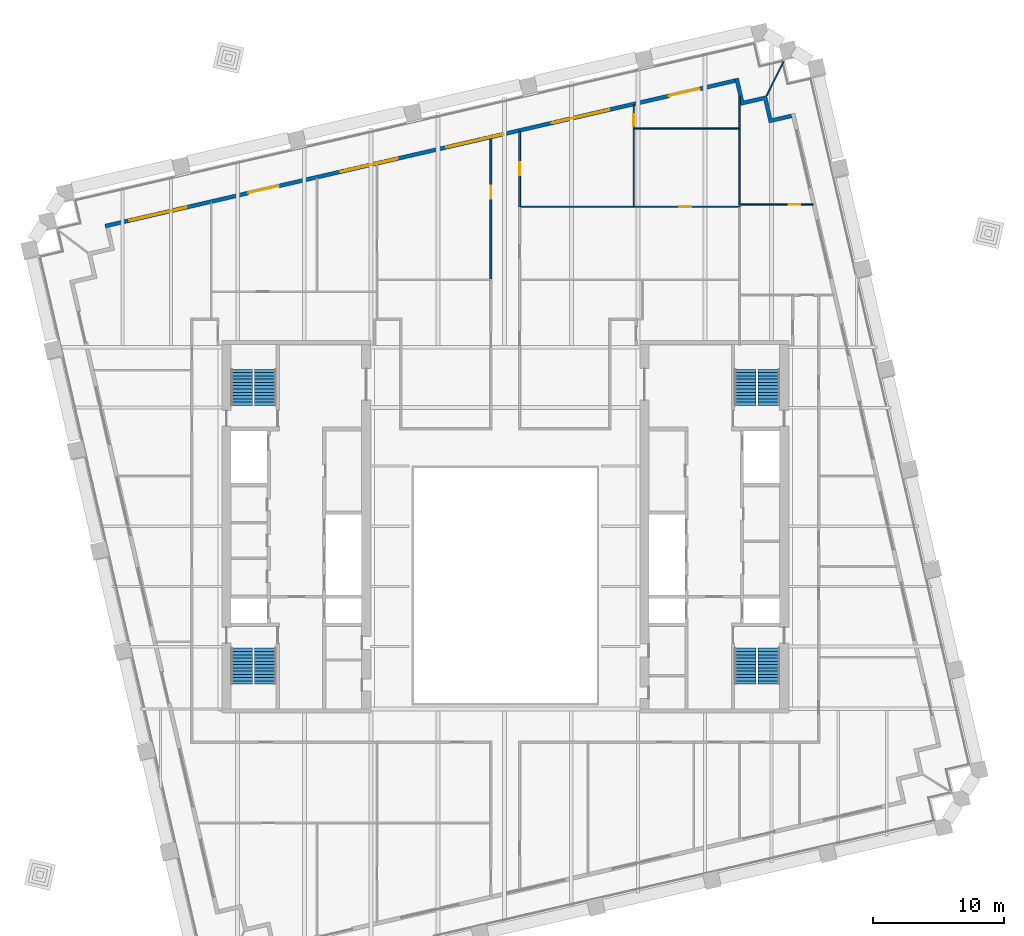
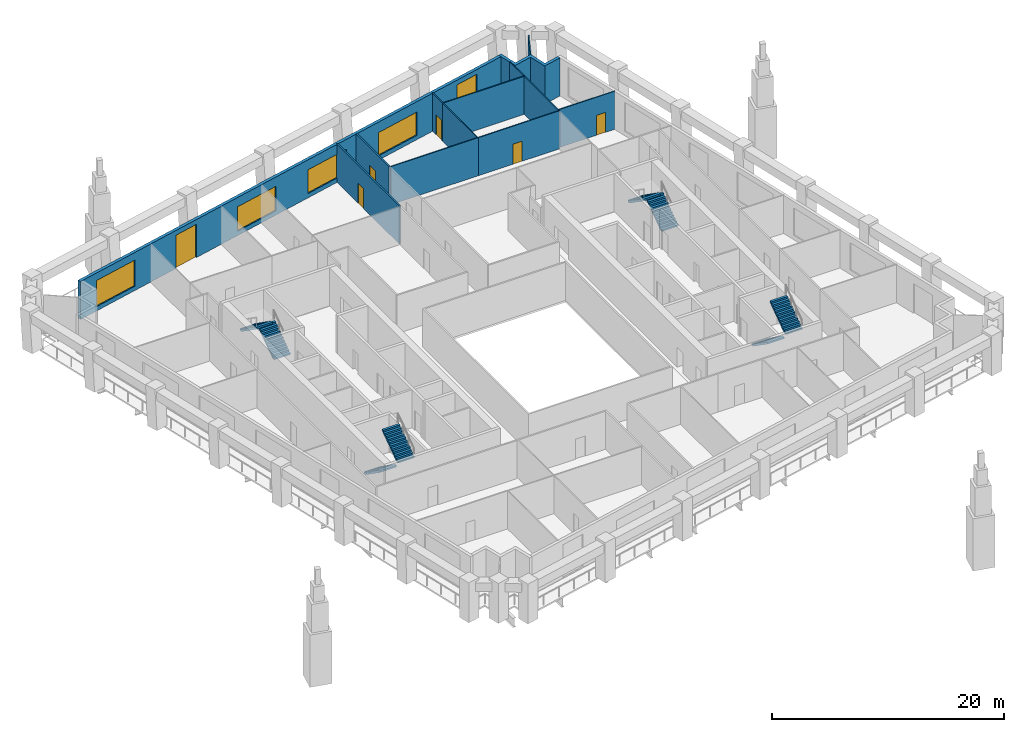
# One storey, part 9 of 10: 13 walls, 8 stair flights, 7 doors, 4 windows, 11 openings, 4 elements without a shape of their own.
"""IFC4 building model written with IfcOpenShell, lengths in metres."""

import ifcopenshell
import ifcopenshell.guid

model = None  # the IFC model being written
_history = None  # IfcOwnerHistory: only IFC2X3 demands one
_inside = {}  # id of a spatial element -> (the spatial element, [elements in it])
_under = {}  # id of a project, library or spatial element -> (it, [spatial elements below it])
_declared = {}  # id of a project -> (the project, [libraries it declares])
_typed = {}  # id of a type object -> (the type object, [elements of that type])
_made_of = {}  # id of a material, layer set ... -> (it, [elements and type objects made of it])


def new_model(schema):
    """Start an empty IFC model of exactly this schema.

    Asked for "IFC4X3", IfcOpenShell would pick the latest addendum, in which some entities
    have other attributes; the version numbers below select the first issue.
    IFC2X3 requires an IfcOwnerHistory on every rooted entity: one is made here for all.
    """
    global model, _history
    if schema == "IFC4X3":
        model = ifcopenshell.file(schema_version=(4, 3, 0, 0))
    else:
        model = ifcopenshell.file(schema=schema)
    _inside.clear()
    _under.clear()
    _declared.clear()
    _typed.clear()
    _made_of.clear()
    _history = None
    if model.schema == "IFC2X3":
        org = make("IfcOrganization", Name="unknown")
        user = make(
            "IfcPersonAndOrganization",
            ThePerson=make("IfcPerson", FamilyName="unknown"),
            TheOrganization=org,
        )
        app = make(
            "IfcApplication",
            ApplicationDeveloper=org,
            Version="unknown",
            ApplicationFullName="unknown",
            ApplicationIdentifier="unknown",
        )
        _history = make(
            "IfcOwnerHistory",
            OwningUser=user,
            OwningApplication=app,
            ChangeAction="ADDED",
            CreationDate=0,
        )
    return model


def make(cls, **values):
    """One entity of the class cls with the attributes given. An attribute that is None is left unset."""
    return model.create_entity(
        cls, **{name: value for name, value in values.items() if value is not None}
    )


def rooted(cls, **values):
    """An entity with a GlobalId (a new one), such as an element, a storey or a relation."""
    return make(cls, GlobalId=ifcopenshell.guid.new(), OwnerHistory=_history, **values)


def si_unit(unit_type, name, prefix=None):
    """IfcSIUnit, for example si_unit("LENGTHUNIT", "METRE", prefix="MILLI")."""
    return make("IfcSIUnit", UnitType=unit_type, Prefix=prefix, Name=name)


def assignment(units):
    """IfcUnitAssignment: the units of a project."""
    return None if units is None else make("IfcUnitAssignment", Units=units)


def point(xyz):
    """IfcCartesianPoint."""
    return None if xyz is None else make("IfcCartesianPoint", Coordinates=xyz)


def direction(xyz):
    """IfcDirection."""
    return None if xyz is None else make("IfcDirection", DirectionRatios=xyz)


def frame(location, z_axis=None, x_axis=None):
    """IfcAxis2Placement3D, a coordinate frame: its origin and axes. An axis left out is left unset."""
    return make(
        "IfcAxis2Placement3D",
        Location=point(location),
        Axis=direction(z_axis),
        RefDirection=direction(x_axis),
    )


def frame_2d(location, x_axis=None):
    """IfcAxis2Placement2D, a coordinate frame in the plane: its origin and x axis."""
    return make(
        "IfcAxis2Placement2D", Location=point(location), RefDirection=direction(x_axis)
    )


def origin():
    """The frame at (0, 0, 0) with its axes left unset."""
    return frame((0.0, 0.0, 0.0))


def place(relative_to, where):
    """IfcLocalPlacement: puts the frame where relative to a parent placement (None: the world)."""
    return make(
        "IfcLocalPlacement", PlacementRelTo=relative_to, RelativePlacement=where
    )


def context(
    kind, dimensions, precision=None, world=None, true_north=None, identifier=None
):
    """IfcGeometricRepresentationContext, for example the 3D "Model" context."""
    return make(
        "IfcGeometricRepresentationContext",
        ContextIdentifier=identifier,
        ContextType=kind,
        CoordinateSpaceDimension=dimensions,
        Precision=precision,
        WorldCoordinateSystem=world,
        TrueNorth=true_north,
    )


def subcontext(parent, identifier, kind, view, scale=None):
    """IfcGeometricRepresentationSubContext, for example "Body" below "Model"."""
    return make(
        "IfcGeometricRepresentationSubContext",
        ContextIdentifier=identifier,
        ContextType=kind,
        ParentContext=parent,
        TargetScale=scale,
        TargetView=view,
    )


def project(units=None, contexts=None):
    """IfcProject with its units and contexts."""
    return rooted(
        "IfcProject",
        Name="project",
        RepresentationContexts=contexts,
        UnitsInContext=assignment(units),
    )


def spatial(cls, under=None, at=None, **own):
    """A site, building, storey or space (cls), placed at a placement, below another one or the project."""
    s = rooted(cls, ObjectPlacement=at, **own)
    if under is not None:
        _under.setdefault(under.id(), (under, []))[1].append(s)
    return s


def polyline(points):
    """IfcPolyline through the points."""
    return make("IfcPolyline", Points=[point(p) for p in points])


def profile(cls, at=None, kind="AREA", **sizes):
    """A parametric profile (cls). Its sizes go by their IFC names, for example OverallWidth=200.0."""
    return make(cls, ProfileType=kind, Position=at, **sizes)


def rectangle(**sizes):
    """IfcRectangleProfileDef."""
    return profile("IfcRectangleProfileDef", **sizes)


def outline(outer, holes=None, kind="AREA"):
    """IfcArbitraryClosedProfileDef: a profile drawn as a closed curve; with holes, ...WithVoids."""
    if holes is None:
        return make("IfcArbitraryClosedProfileDef", ProfileType=kind, OuterCurve=outer)
    return make(
        "IfcArbitraryProfileDefWithVoids",
        ProfileType=kind,
        OuterCurve=outer,
        InnerCurves=holes,
    )


def extrude(swept, where, along, depth):
    """IfcExtrudedAreaSolid: the profile swept, set in the frame where, extruded along a direction by depth."""
    return make(
        "IfcExtrudedAreaSolid",
        SweptArea=swept,
        Position=where,
        ExtrudedDirection=direction(along),
        Depth=depth,
    )


def shape(context_of_items, identifier, shape_type, items):
    """IfcShapeRepresentation: the items that make up one representation, for example the "Body"."""
    return make(
        "IfcShapeRepresentation",
        ContextOfItems=context_of_items,
        RepresentationIdentifier=identifier,
        RepresentationType=shape_type,
        Items=items,
    )


def material(Name=None, Category=None):
    """IfcMaterial."""
    return make("IfcMaterial", Name=Name, Category=Category)


def layer(
    of_material, thickness, ventilated=None, Name=None, Category=None, Priority=None
):
    """IfcMaterialLayer: one layer of a wall or slab, of a material (None: an air gap)."""
    return make(
        "IfcMaterialLayer",
        Material=of_material,
        LayerThickness=thickness,
        IsVentilated=ventilated,
        Name=Name,
        Category=Category,
        Priority=Priority,
    )


def layer_set(layers, Name=None):
    """IfcMaterialLayerSet."""
    return make("IfcMaterialLayerSet", MaterialLayers=layers, LayerSetName=Name)


def made_of(thing, what):
    """Note that an element or type object is made of a material, layer set ...; save() writes the relation."""
    if what is not None:
        _made_of.setdefault(what.id(), (what, []))[1].append(thing)
    return thing


def type_object(cls, material=None, **own):
    """A type object (cls), such as IfcWallType, which elements share."""
    return made_of(rooted(cls, **own), material)


def element(
    cls,
    number,
    at=None,
    inside=None,
    cuts=None,
    type_object=None,
    material=None,
    context=None,
    identifier="Body",
    shape_type=None,
    held_by="IfcProductDefinitionShape",
    body=None,
    shapes=None,
    **own,
):
    """One element of the class cls, such as IfcWall. Its Tag is "e" and its number.

    at: its placement. inside: the storey or other place that contains it. cuts: it is an
    opening in that element (IfcRelVoidsElement). A single representation is given by context,
    identifier, shape_type and body (its items); several are given by shapes. held_by: the class
    of the entity that holds the representations. save() writes the other relations.
    """
    e = rooted(cls, Tag="e%d" % number, ObjectPlacement=at, **own)
    if body is not None:
        shapes = [shape(context, identifier, shape_type, body)]
    if shapes is not None:
        e.Representation = make(held_by, Representations=shapes)
    if inside is not None:
        _inside.setdefault(inside.id(), (inside, []))[1].append(e)
    if cuts is not None:
        rooted(
            "IfcRelVoidsElement", RelatingBuildingElement=cuts, RelatedOpeningElement=e
        )
    if type_object is not None:
        _typed.setdefault(type_object.id(), (type_object, []))[1].append(e)
    return made_of(e, material)


def fill(opening, filler):
    """IfcRelFillsElement: the door or window that sits in an opening."""
    return rooted(
        "IfcRelFillsElement",
        RelatingOpeningElement=opening,
        RelatedBuildingElement=filler,
    )


def aggregate(whole, parts):
    """IfcRelAggregates: a whole, such as a stair, and the parts it consists of."""
    return rooted("IfcRelAggregates", RelatingObject=whole, RelatedObjects=parts)


def save(model, path):
    """Write the relations noted so far, then the file.

    IfcRelAggregates (storeys below a building ...), IfcRelContainedInSpatialStructure (elements
    in a storey), IfcRelDefinesByType, IfcRelAssociatesMaterial and IfcRelDeclares: one each for
    every whole, place, type object, material and project.
    """
    for whole, parts in _under.values():
        aggregate(whole, parts)
    for where, things in _inside.values():
        rooted(
            "IfcRelContainedInSpatialStructure",
            RelatedElements=things,
            RelatingStructure=where,
        )
    for kind, things in _typed.values():
        rooted("IfcRelDefinesByType", RelatedObjects=things, RelatingType=kind)
    for what, things in _made_of.values():
        rooted("IfcRelAssociatesMaterial", RelatedObjects=things, RelatingMaterial=what)
    for by, libraries in _declared.values():
        rooted("IfcRelDeclares", RelatingContext=by, RelatedDefinitions=libraries)
    model.write(path)


model = new_model("IFC4")

# Units and contexts
model_context = context("Model", 3, precision=1e-05, world=origin(), true_north=direction((0.0, 1.0)))
body_context = subcontext(model_context, "Body", "Model", "MODEL_VIEW")
ifc_project = project(units=[si_unit("LENGTHUNIT", "METRE"), si_unit("AREAUNIT", "SQUARE_METRE"), si_unit("VOLUMEUNIT", "CUBIC_METRE"), si_unit("PLANEANGLEUNIT", "RADIAN"), si_unit("MASSUNIT", "GRAM", prefix="KILO")], contexts=[model_context])

# Site, building, storey
site_placement = place(None, origin())
site = spatial("IfcSite", under=ifc_project, at=site_placement, CompositionType="ELEMENT")
building_placement = place(site_placement, origin())
building = spatial("IfcBuilding", under=site, at=building_placement, Name="Ogive Exchange Tower", CompositionType="ELEMENT")
storey_placement = place(building_placement, frame((0.0, 0.0, 171.60009765625)))
storey = spatial("IfcBuildingStorey", under=building, at=storey_placement, Name="L37", CompositionType="ELEMENT", Elevation=171.60009765625)

# Wall, opening, door
ifc_material_1 = material(Name="Fire partition EI 60 150")
ifc_layer_1 = layer(ifc_material_1, 0.14990234375)
ifc_layer_set_1 = layer_set([ifc_layer_1], Name="Fire partition EI 60 150")
wall_type_1 = type_object("IfcWallType", Name="Fire partition EI 60 150", PredefinedType="PARTITIONING", material=ifc_layer_set_1)
wall_1_placement = place(storey_placement, frame((-1.10009765625, 30.469970703125, 0.0), z_axis=(0.0, 0.0, 1.0), x_axis=(0.0, 1.0, 0.0)))
wall_1 = element("IfcWall", 1, at=wall_1_placement, inside=storey, type_object=wall_type_1, Name="L37-PWL-035", PredefinedType="PARTITIONING", context=body_context, shape_type="SweptSolid", body=[
    extrude(rectangle(XDim=10.800048828125, YDim=0.14990234375, at=frame_2d((5.39990234375, 0.0))), origin(), (0.0, 0.0, 1.0), 4.0),
])
opening_1_placement = place(wall_1_placement, frame((6.1298828125, 0.0, 0.0)))
opening_1 = element("IfcOpeningElement", 2, at=opening_1_placement, cuts=wall_1, Name="Opening L37-I04", PredefinedType="OPENING", context=body_context, shape_type="SweptSolid", body=[
    extrude(rectangle(XDim=1.0, YDim=2.10009765625, at=frame_2d((0.5, 1.050048828125))), frame((0.0, 0.0849609375, 0.0), z_axis=(0.0, -1.0, 0.0), x_axis=(1.0, 0.0, 0.0)), (0.0, 0.0, 1.0), 0.169921875),
])
ifc_material_2 = material(Name="Fire door FD 30S 1000 x 2100")
door_type_1 = type_object("IfcDoorType", Name="Fire door FD 30S 1000 x 2100", OperationType="NOTDEFINED", PredefinedType="DOOR", material=ifc_material_2)
door_1_placement = place(opening_1_placement, origin())
door_1 = element("IfcDoor", 3, at=door_1_placement, inside=storey, type_object=door_type_1, Name="L37-IDR-004", ObjectType="DT3", OperationType="SINGLE_SWING_LEFT", OverallHeight=2.10009765625, OverallWidth=1.0, PredefinedType="DOOR", context=body_context, shape_type="SweptSolid", body=[
    extrude(rectangle(XDim=1.0, YDim=2.10009765625, at=frame_2d((0.5, 1.050048828125))), frame((0.0, 0.02490234375, 0.0), z_axis=(0.0, -1.0, 0.0), x_axis=(1.0, 0.0, 0.0)), (0.0, 0.0, 1.0), 0.050048828125),
])
fill(opening_1, door_1)

wall_2_placement = place(storey_placement, frame((1.10009765625, 41.778076171875, 0.0), z_axis=(0.0, 0.0, 1.0), x_axis=(0.0, -1.0, 0.0)))
wall_2 = element("IfcWall", 4, at=wall_2_placement, inside=storey, type_object=wall_type_1, Name="L37-PWL-042", PredefinedType="PARTITIONING", context=body_context, shape_type="SweptSolid", body=[
    extrude(rectangle(XDim=5.778076171875, YDim=0.14990234375, at=frame_2d((2.88916015625, 0.0))), origin(), (0.0, 0.0, 1.0), 4.0),
])
opening_2_placement = place(wall_2_placement, frame((2.3779296875, 0.0, 0.0)))
opening_2 = element("IfcOpeningElement", 5, at=opening_2_placement, cuts=wall_2, Name="Opening L37-I28", PredefinedType="OPENING", context=body_context, shape_type="SweptSolid", body=[
    extrude(rectangle(XDim=1.0, YDim=2.10009765625, at=frame_2d((0.5, 1.050048828125))), frame((0.0, 0.0849609375, 0.0), z_axis=(0.0, -1.0, 0.0), x_axis=(1.0, 0.0, 0.0)), (0.0, 0.0, 1.0), 0.169921875),
])
door_2_placement = place(opening_2_placement, origin())
door_2 = element("IfcDoor", 6, at=door_2_placement, inside=storey, type_object=door_type_1, Name="L37-IDR-028", ObjectType="DT3", OperationType="SINGLE_SWING_LEFT", OverallHeight=2.10009765625, OverallWidth=1.0, PredefinedType="DOOR", context=body_context, shape_type="SweptSolid", body=[
    extrude(rectangle(XDim=1.0, YDim=2.10009765625, at=frame_2d((0.5, 1.050048828125))), frame((0.0, 0.02490234375, 0.0), z_axis=(0.0, -1.0, 0.0), x_axis=(1.0, 0.0, 0.0)), (0.0, 0.0, 1.0), 0.050048828125),
])
fill(opening_2, door_2)

# Wall, openings, doors, windows
ifc_material_3 = material(Name="Precast concrete C40/50", Category="concrete")
ifc_layer_2 = layer(ifc_material_3, 0.300048828125)
ifc_layer_set_2 = layer_set([ifc_layer_2], Name="Limestone-faced wall 300")
wall_type_2 = type_object("IfcWallType", Name="Limestone-faced wall 300", PredefinedType="STANDARD", material=ifc_layer_set_2)
wall_3_placement = place(storey_placement, frame((17.592041015625, 45.6572265625, 0.0), z_axis=(0.0, 0.0, 1.0), x_axis=(-0.974370243697, -0.224950279389, 0.0)))
wall_3 = element("IfcWall", 7, at=wall_3_placement, inside=storey, type_object=wall_type_2, Name="External wall N3", PredefinedType="STANDARD", context=body_context, shape_type="SweptSolid", body=[
    extrude(rectangle(XDim=49.499755859375, YDim=0.300048828125, at=frame_2d((24.75, 0.0))), origin(), (0.0, 0.0, 1.0), 4.0),
])
opening_3_placement = place(wall_3_placement, frame((2.800048828125, 0.0, 0.0)))
opening_3 = element("IfcOpeningElement", 8, at=opening_3_placement, cuts=wall_3, Name="Opening D1", PredefinedType="OPENING", context=body_context, shape_type="SweptSolid", body=[
    extrude(rectangle(XDim=2.39990234375, YDim=3.5, at=frame_2d((1.199951171875, 1.75))), frame((0.0, 0.159912109375, 0.0), z_axis=(0.0, -1.0, 0.0), x_axis=(1.0, 0.0, 0.0)), (0.0, 0.0, 1.0), 0.320068359375),
])
opening_4_placement = place(wall_3_placement, frame((9.89990234375, 0.0, 0.449951171875)))
opening_4 = element("IfcOpeningElement", 9, at=opening_4_placement, cuts=wall_3, Name="Opening W1Q", PredefinedType="OPENING", context=body_context, shape_type="SweptSolid", body=[
    extrude(rectangle(XDim=4.5, YDim=2.449951171875, at=frame_2d((2.25, 1.22509765625))), frame((0.0, 0.159912109375, 0.0), z_axis=(0.0, -1.0, 0.0), x_axis=(1.0, 0.0, 0.0)), (0.0, 0.0, 1.0), 0.320068359375),
])
opening_5_placement = place(wall_3_placement, frame((18.199951171875, 0.0, 0.449951171875)))
opening_5 = element("IfcOpeningElement", 10, at=opening_5_placement, cuts=wall_3, Name="Opening W1O", PredefinedType="OPENING", context=body_context, shape_type="SweptSolid", body=[
    extrude(rectangle(XDim=4.5, YDim=2.5, at=frame_2d((2.25, 1.25))), frame((0.0, 0.159912109375, 0.0), z_axis=(0.0, -1.0, 0.0), x_axis=(1.0, 0.0, 0.0)), (0.0, 0.0, 1.0), 0.320068359375),
])
opening_6_placement = place(wall_3_placement, frame((26.5, 0.0, 0.449951171875)))
opening_6 = element("IfcOpeningElement", 11, at=opening_6_placement, cuts=wall_3, Name="Opening W1M", PredefinedType="OPENING", context=body_context, shape_type="SweptSolid", body=[
    extrude(rectangle(XDim=4.5, YDim=2.574951171875, at=frame_2d((2.25, 1.28759765625))), frame((0.0, 0.159912109375, 0.0), z_axis=(0.0, -1.0, 0.0), x_axis=(1.0, 0.0, 0.0)), (0.0, 0.0, 1.0), 0.320068359375),
])
opening_7_placement = place(wall_3_placement, frame((35.85009765625, 0.0, 0.0)))
opening_7 = element("IfcOpeningElement", 12, at=opening_7_placement, cuts=wall_3, Name="Opening D1", PredefinedType="OPENING", context=body_context, shape_type="SweptSolid", body=[
    extrude(rectangle(XDim=2.39990234375, YDim=3.5, at=frame_2d((1.199951171875, 1.75))), frame((0.0, 0.159912109375, 0.0), z_axis=(0.0, -1.0, 0.0), x_axis=(1.0, 0.0, 0.0)), (0.0, 0.0, 1.0), 0.320068359375),
])
opening_8_placement = place(wall_3_placement, frame((43.10009765625, 0.0, 0.449951171875)))
opening_8 = element("IfcOpeningElement", 13, at=opening_8_placement, cuts=wall_3, Name="Opening W1H", PredefinedType="OPENING", context=body_context, shape_type="SweptSolid", body=[
    extrude(rectangle(XDim=4.5, YDim=2.75, at=frame_2d((2.25, 1.375))), frame((0.0, 0.159912109375, 0.0), z_axis=(0.0, -1.0, 0.0), x_axis=(1.0, 0.0, 0.0)), (0.0, 0.0, 1.0), 0.320068359375),
])
ifc_material_4 = material(Name="Clear glass in bronze frame", Category="glass")
door_type_2 = type_object("IfcDoorType", Name="Sliding loggia door 2400 x 3500", OperationType="DOUBLE_DOOR_SLIDING", PredefinedType="DOOR", material=ifc_material_4)
door_3_placement = place(opening_3_placement, origin())
door_3 = element("IfcDoor", 14, at=door_3_placement, inside=storey, type_object=door_type_2, Name="Loggia door N00", OperationType="DOUBLE_DOOR_SLIDING", OverallHeight=3.5, OverallWidth=2.39990234375, PredefinedType="DOOR", context=body_context, shape_type="SweptSolid", body=[
    extrude(rectangle(XDim=2.39990234375, YDim=3.5, at=frame_2d((1.199951171875, 1.75))), frame((0.0, 0.02490234375, 0.0), z_axis=(0.0, -1.0, 0.0), x_axis=(1.0, 0.0, 0.0)), (0.0, 0.0, 1.0), 0.050048828125),
])
fill(opening_3, door_3)
door_4_placement = place(opening_7_placement, origin())
door_4 = element("IfcDoor", 15, at=door_4_placement, inside=storey, type_object=door_type_2, Name="Loggia door N04", OperationType="DOUBLE_DOOR_SLIDING", OverallHeight=3.5, OverallWidth=2.39990234375, PredefinedType="DOOR", context=body_context, shape_type="SweptSolid", body=[
    extrude(rectangle(XDim=2.39990234375, YDim=3.5, at=frame_2d((1.199951171875, 1.75))), frame((0.0, 0.02490234375, 0.0), z_axis=(0.0, -1.0, 0.0), x_axis=(1.0, 0.0, 0.0)), (0.0, 0.0, 1.0), 0.050048828125),
])
fill(opening_7, door_4)
window_type_1 = type_object("IfcWindowType", Name="Twin lancet window 4500 x 2450", PartitioningType="DOUBLE_PANEL_VERTICAL", PredefinedType="WINDOW", material=ifc_material_4)
window_1_placement = place(opening_4_placement, origin())
window_1 = element("IfcWindow", 16, at=window_1_placement, inside=storey, type_object=window_type_1, Name="Window N01", OverallHeight=2.449951171875, OverallWidth=4.5, PartitioningType="DOUBLE_PANEL_VERTICAL", PredefinedType="WINDOW", context=body_context, shape_type="SweptSolid", body=[
    extrude(rectangle(XDim=4.5, YDim=2.449951171875, at=frame_2d((2.25, 1.22509765625))), frame((0.0, 0.030029296875, 0.0), z_axis=(0.0, -1.0, 0.0), x_axis=(1.0, 0.0, 0.0)), (0.0, 0.0, 1.0), 0.06005859375),
])
fill(opening_4, window_1)
window_type_2 = type_object("IfcWindowType", Name="Twin lancet window 4500 x 2500", PartitioningType="DOUBLE_PANEL_VERTICAL", PredefinedType="WINDOW", material=ifc_material_4)
window_2_placement = place(opening_5_placement, origin())
window_2 = element("IfcWindow", 17, at=window_2_placement, inside=storey, type_object=window_type_2, Name="Window N02", OverallHeight=2.5, OverallWidth=4.5, PartitioningType="DOUBLE_PANEL_VERTICAL", PredefinedType="WINDOW", context=body_context, shape_type="SweptSolid", body=[
    extrude(rectangle(XDim=4.5, YDim=2.5, at=frame_2d((2.25, 1.25))), frame((0.0, 0.030029296875, 0.0), z_axis=(0.0, -1.0, 0.0), x_axis=(1.0, 0.0, 0.0)), (0.0, 0.0, 1.0), 0.06005859375),
])
fill(opening_5, window_2)
window_type_3 = type_object("IfcWindowType", Name="Twin lancet window 4500 x 2575", PartitioningType="DOUBLE_PANEL_VERTICAL", PredefinedType="WINDOW", material=ifc_material_4)
window_3_placement = place(opening_6_placement, origin())
window_3 = element("IfcWindow", 18, at=window_3_placement, inside=storey, type_object=window_type_3, Name="Window N03", OverallHeight=2.574951171875, OverallWidth=4.5, PartitioningType="DOUBLE_PANEL_VERTICAL", PredefinedType="WINDOW", context=body_context, shape_type="SweptSolid", body=[
    extrude(rectangle(XDim=4.5, YDim=2.574951171875, at=frame_2d((2.25, 1.28759765625))), frame((0.0, 0.030029296875, 0.0), z_axis=(0.0, -1.0, 0.0), x_axis=(1.0, 0.0, 0.0)), (0.0, 0.0, 1.0), 0.06005859375),
])
fill(opening_6, window_3)
window_type_4 = type_object("IfcWindowType", Name="Twin lancet window 4500 x 2750", PartitioningType="DOUBLE_PANEL_VERTICAL", PredefinedType="WINDOW", material=ifc_material_4)
window_4_placement = place(opening_8_placement, origin())
window_4 = element("IfcWindow", 19, at=window_4_placement, inside=storey, type_object=window_type_4, Name="Window N05", OverallHeight=2.75, OverallWidth=4.5, PartitioningType="DOUBLE_PANEL_VERTICAL", PredefinedType="WINDOW", context=body_context, shape_type="SweptSolid", body=[
    extrude(rectangle(XDim=4.5, YDim=2.75, at=frame_2d((2.25, 1.375))), frame((0.0, 0.030029296875, 0.0), z_axis=(0.0, -1.0, 0.0), x_axis=(1.0, 0.0, 0.0)), (0.0, 0.0, 1.0), 0.06005859375),
])
fill(opening_8, window_4)

# Walls
wall_4_placement = place(storey_placement, origin())
element("IfcWall", 20, at=wall_4_placement, inside=storey, type_object=wall_type_2, Name="External corner wall C2", PredefinedType="STANDARD", context=body_context, shape_type="SweptSolid", body=[
    extrude(outline(polyline([(19.78466796875, 44.162109375), (18.03076171875, 43.757080078125), (17.558349609375, 45.80322265625), (17.8505859375, 45.870849609375), (18.255615234375, 44.116943359375), (20.009521484375, 44.52197265625), (20.414306640625, 42.76806640625), (21.8759765625, 43.10546875), (21.943359375, 42.81298828125), (20.189697265625, 42.408203125), (19.78466796875, 44.162109375)])), origin(), (0.0, 0.0, 1.0), 4.0),
])
ifc_material_5 = material(Name="Laminated safety glass in steel frame", Category="steel")
ifc_layer_3 = layer(ifc_material_5, 0.10009765625)
ifc_layer_set_3 = layer_set([ifc_layer_3], Name="Loggia end screen 100")
wall_type_3 = type_object("IfcWallType", Name="Loggia end screen 100", PredefinedType="STANDARD", material=ifc_layer_set_3)
wall_5_placement = place(storey_placement, frame((20.009521484375, 44.52197265625, -0.050048828125), z_axis=(0.0, 0.0, 1.0), x_axis=(0.447280968506, 0.894393501325, 0.0)))
element("IfcWall", 21, at=wall_5_placement, inside=storey, type_object=wall_type_3, Name="Loggia end screen C2", PredefinedType="STANDARD", context=body_context, shape_type="SweptSolid", body=[
    extrude(rectangle(XDim=2.89892578125, YDim=0.10009765625, at=frame_2d((1.449462890625, 0.0))), origin(), (0.0, 0.0, 1.0), 4.050048828125),
])
ifc_material_6 = material(Name="Partition 100 gypsum")
ifc_layer_4 = layer(ifc_material_6, 0.10009765625)
ifc_layer_set_4 = layer_set([ifc_layer_4], Name="Partition 100 gypsum")
wall_type_4 = type_object("IfcWallType", Name="Partition 100 gypsum", PredefinedType="PARTITIONING", material=ifc_layer_set_4)
wall_6_placement = place(storey_placement, frame((1.175048828125, 36.0, 0.0), z_axis=(0.0, 0.0, 1.0), x_axis=(1.0, 0.0, 0.0)))
element("IfcWall", 22, at=wall_6_placement, inside=storey, type_object=wall_type_4, Name="L37-PWL-041", PredefinedType="PARTITIONING", context=body_context, shape_type="SweptSolid", body=[
    extrude(rectangle(XDim=8.704833984375, YDim=0.10009765625, at=frame_2d((4.3525390625, 0.0))), origin(), (0.0, 0.0, 1.0), 4.0),
])

# Wall, opening, door
wall_7_placement = place(storey_placement, frame((9.8798828125, 36.0, 0.0), z_axis=(0.0, 0.0, 1.0), x_axis=(1.0, 0.0, 0.0)))
wall_7 = element("IfcWall", 23, at=wall_7_placement, inside=storey, type_object=wall_type_4, Name="L37-PWL-047", PredefinedType="PARTITIONING", context=body_context, shape_type="SweptSolid", body=[
    extrude(rectangle(XDim=8.090087890625, YDim=0.10009765625, at=frame_2d((4.044921875, 0.0))), origin(), (0.0, 0.0, 1.0), 4.0),
])
opening_9_placement = place(wall_7_placement, frame((3.43994140625, 0.0, 0.0)))
opening_9 = element("IfcOpeningElement", 24, at=opening_9_placement, cuts=wall_7, Name="Opening L37-I29", PredefinedType="OPENING", context=body_context, shape_type="SweptSolid", body=[
    extrude(rectangle(XDim=0.89990234375, YDim=2.10009765625, at=frame_2d((0.449951171875, 1.050048828125))), frame((0.0, 0.06005859375, 0.0), z_axis=(0.0, -1.0, 0.0), x_axis=(1.0, 0.0, 0.0)), (0.0, 0.0, 1.0), 0.1201171875),
])
ifc_material_7 = material(Name="Door 900 x 2100")
door_type_3 = type_object("IfcDoorType", Name="Door 900 x 2100", OperationType="NOTDEFINED", PredefinedType="DOOR", material=ifc_material_7)
door_5_placement = place(opening_9_placement, origin())
door_5 = element("IfcDoor", 25, at=door_5_placement, inside=storey, type_object=door_type_3, Name="L37-IDR-029", ObjectType="DT1", OperationType="SINGLE_SWING_LEFT", OverallHeight=2.10009765625, OverallWidth=0.89990234375, PredefinedType="DOOR", context=body_context, shape_type="SweptSolid", body=[
    extrude(rectangle(XDim=0.89990234375, YDim=2.10009765625, at=frame_2d((0.449951171875, 1.050048828125))), frame((0.0, 0.02490234375, 0.0), z_axis=(0.0, -1.0, 0.0), x_axis=(1.0, 0.0, 0.0)), (0.0, 0.0, 1.0), 0.050048828125),
])
fill(opening_9, door_5)

# Walls
wall_8_placement = place(storey_placement, frame((9.830078125, 42.050048828125, 0.0), z_axis=(0.0, 0.0, 1.0), x_axis=(0.0, -1.0, 0.0)))
element("IfcWall", 26, at=wall_8_placement, inside=storey, type_object=wall_type_4, Name="L37-PWL-048", PredefinedType="PARTITIONING", context=body_context, shape_type="SweptSolid", body=[
    extrude(rectangle(XDim=6.0, YDim=0.10009765625, at=frame_2d((3.0, 0.0))), origin(), (0.0, 0.0, 1.0), 4.0),
])
wall_9_placement = place(storey_placement, frame((9.8798828125, 42.0, 0.0), z_axis=(0.0, 0.0, 1.0), x_axis=(1.0, 0.0, 0.0)))
element("IfcWall", 27, at=wall_9_placement, inside=storey, type_object=wall_type_4, Name="L37-PWL-049", PredefinedType="PARTITIONING", context=body_context, shape_type="SweptSolid", body=[
    extrude(rectangle(XDim=8.090087890625, YDim=0.10009765625, at=frame_2d((4.044921875, 0.0))), origin(), (0.0, 0.0, 1.0), 4.0),
])

# Wall, opening, door
wall_10_placement = place(storey_placement, frame((9.830078125, 43.7939453125, 0.0), z_axis=(0.0, 0.0, 1.0), x_axis=(0.0, -1.0, 0.0)))
wall_10 = element("IfcWall", 28, at=wall_10_placement, inside=storey, type_object=wall_type_4, Name="L37-PWL-050", PredefinedType="PARTITIONING", context=body_context, shape_type="SweptSolid", body=[
    extrude(rectangle(XDim=1.7939453125, YDim=0.10009765625, at=frame_2d((0.89697265625, 0.0))), origin(), (0.0, 0.0, 1.0), 4.0),
])
opening_10_placement = place(wall_10_placement, frame((0.694091796875, 0.0, 0.0)))
opening_10 = element("IfcOpeningElement", 29, at=opening_10_placement, cuts=wall_10, Name="Opening L37-I30", PredefinedType="OPENING", context=body_context, shape_type="SweptSolid", body=[
    extrude(rectangle(XDim=0.89990234375, YDim=2.10009765625, at=frame_2d((0.449951171875, 1.050048828125))), frame((0.0, 0.06005859375, 0.0), z_axis=(0.0, -1.0, 0.0), x_axis=(1.0, 0.0, 0.0)), (0.0, 0.0, 1.0), 0.1201171875),
])
door_6_placement = place(opening_10_placement, origin())
door_6 = element("IfcDoor", 30, at=door_6_placement, inside=storey, type_object=door_type_3, Name="L37-IDR-030", ObjectType="DT1", OperationType="SINGLE_SWING_LEFT", OverallHeight=2.10009765625, OverallWidth=0.89990234375, PredefinedType="DOOR", context=body_context, shape_type="SweptSolid", body=[
    extrude(rectangle(XDim=0.89990234375, YDim=2.10009765625, at=frame_2d((0.449951171875, 1.050048828125))), frame((0.0, 0.02490234375, 0.0), z_axis=(0.0, -1.0, 0.0), x_axis=(1.0, 0.0, 0.0)), (0.0, 0.0, 1.0), 0.050048828125),
])
fill(opening_10, door_6)

# Wall
wall_11_placement = place(storey_placement, frame((17.919921875, 36.1201171875, 0.0), z_axis=(0.0, 0.0, 1.0), x_axis=(0.0, 1.0, 0.0)))
element("IfcWall", 31, at=wall_11_placement, inside=storey, type_object=wall_type_4, Name="L37-PWL-064", PredefinedType="PARTITIONING", context=body_context, shape_type="SweptSolid", body=[
    extrude(rectangle(XDim=5.829833984375, YDim=0.10009765625, at=frame_2d((2.9150390625, 0.0))), origin(), (0.0, 0.0, 1.0), 4.0),
])

# Wall, opening, door
wall_12_placement = place(storey_placement, frame((17.969970703125, 36.169921875, 0.0), z_axis=(0.0, 0.0, 1.0), x_axis=(1.0, 0.0, 0.0)))
wall_12 = element("IfcWall", 32, at=wall_12_placement, inside=storey, type_object=wall_type_4, Name="L37-PWL-065", PredefinedType="PARTITIONING", context=body_context, shape_type="SweptSolid", body=[
    extrude(rectangle(XDim=5.590087890625, YDim=0.10009765625, at=frame_2d((2.794921875, 0.0))), origin(), (0.0, 0.0, 1.0), 4.0),
])
opening_11_placement = place(wall_12_placement, frame((3.719970703125, 0.0, 0.0)))
opening_11 = element("IfcOpeningElement", 33, at=opening_11_placement, cuts=wall_12, Name="Opening L37-I24", PredefinedType="OPENING", context=body_context, shape_type="SweptSolid", body=[
    extrude(rectangle(XDim=0.89990234375, YDim=2.10009765625, at=frame_2d((0.449951171875, 1.050048828125))), frame((0.0, 0.06005859375, 0.0), z_axis=(0.0, -1.0, 0.0), x_axis=(1.0, 0.0, 0.0)), (0.0, 0.0, 1.0), 0.1201171875),
])
door_7_placement = place(opening_11_placement, origin())
door_7 = element("IfcDoor", 34, at=door_7_placement, inside=storey, type_object=door_type_3, Name="L37-IDR-024", ObjectType="DT1", OperationType="SINGLE_SWING_LEFT", OverallHeight=2.10009765625, OverallWidth=0.89990234375, PredefinedType="DOOR", context=body_context, shape_type="SweptSolid", body=[
    extrude(rectangle(XDim=0.89990234375, YDim=2.10009765625, at=frame_2d((0.449951171875, 1.050048828125))), frame((0.0, 0.02490234375, 0.0), z_axis=(0.0, -1.0, 0.0), x_axis=(1.0, 0.0, 0.0)), (0.0, 0.0, 1.0), 0.050048828125),
])
fill(opening_11, door_7)

# Wall
wall_13_placement = place(storey_placement, frame((17.919921875, 42.050048828125, 0.0), z_axis=(0.0, 0.0, 1.0), x_axis=(0.0, 1.0, 0.0)))
element("IfcWall", 35, at=wall_13_placement, inside=storey, type_object=wall_type_4, Name="L37-PWL-066", PredefinedType="PARTITIONING", context=body_context, shape_type="SweptSolid", body=[
    extrude(rectangle(XDim=2.431884765625, YDim=0.10009765625, at=frame_2d((1.2158203125, 0.0))), origin(), (0.0, 0.0, 1.0), 4.0),
])

# Stair, stair flights
ifc_material_8 = material(Name="Concrete C40/50", Category="concrete")
stair_type = type_object("IfcStairType", Name="Exit stair 1650 wide", PredefinedType="HALF_TURN_STAIR", material=ifc_material_8)
stair_1_placement = place(storey_placement, origin())
stair_1 = element("IfcStair", 36, at=stair_1_placement, inside=storey, type_object=stair_type, Name="L37 exit stair ST1", PredefinedType="HALF_TURN_STAIR")
stair_flight_type = type_object("IfcStairFlightType", Name="Stair flight 1650 wide", PredefinedType="STRAIGHT", material=ifc_material_8)
stair_flight_1_placement = place(storey_placement, frame((-20.175048828125, 2.199951171875, 0.0), z_axis=(0.0, 0.0, 1.0), x_axis=(0.0, -1.0, 0.0)))
stair_flight_1 = element("IfcStairFlight", 37, at=stair_flight_1_placement, type_object=stair_flight_type, Name="ST1 flight 1", NumberOfRisers=12, NumberOfTreads=11, PredefinedType="STRAIGHT", RiserHeight=0.175, TreadLength=0.25, context=body_context, shape_type="SweptSolid", body=[
    extrude(outline(polyline([(0.0, 0.0), (0.0, 0.175048828125), (0.25, 0.175048828125), (0.25, 0.35009765625), (0.5, 0.35009765625), (0.5, 0.52490234375), (0.75, 0.52490234375), (0.75, 0.699951171875), (1.0, 0.699951171875), (1.0, 0.875), (1.25, 0.875), (1.25, 1.050048828125), (1.5, 1.050048828125), (1.5, 1.22509765625), (1.75, 1.22509765625), (1.75, 1.39990234375), (2.0, 1.39990234375), (2.0, 1.574951171875), (2.25, 1.574951171875), (2.25, 1.75), (2.5, 1.75), (2.5, 1.925048828125), (2.75, 1.925048828125), (2.75, 2.10009765625), (2.75, 1.741943359375), (0.261474609375, 0.0), (0.0, 0.0)])), frame((0.0, 0.824951171875, 0.0), z_axis=(0.0, -1.0, 0.0), x_axis=(1.0, 0.0, 0.0)), (0.0, 0.0, 1.0), 1.64990234375),
])
stair_flight_2_placement = place(storey_placement, frame((-18.375, -0.550048828125, 2.099853515625), z_axis=(0.0, 0.0, 1.0), x_axis=(0.0, 1.0, 0.0)))
stair_flight_2 = element("IfcStairFlight", 38, at=stair_flight_2_placement, type_object=stair_flight_type, Name="ST1 flight 2", NumberOfRisers=12, NumberOfTreads=11, PredefinedType="STRAIGHT", RiserHeight=0.175, TreadLength=0.25, context=body_context, shape_type="SweptSolid", body=[
    extrude(outline(polyline([(0.0, 0.0), (0.0, 0.175048828125), (0.25, 0.175048828125), (0.25, 0.35009765625), (0.5, 0.35009765625), (0.5, 0.52490234375), (0.75, 0.52490234375), (0.75, 0.699951171875), (1.0, 0.699951171875), (1.0, 0.875), (1.25, 0.875), (1.25, 1.050048828125), (1.5, 1.050048828125), (1.5, 1.22509765625), (1.75, 1.22509765625), (1.75, 1.39990234375), (2.0, 1.39990234375), (2.0, 1.574951171875), (2.25, 1.574951171875), (2.25, 1.75), (2.5, 1.75), (2.5, 1.925048828125), (2.75, 1.925048828125), (2.75, 2.10009765625), (2.75, 1.741943359375), (0.261474609375, 0.0), (0.0, 0.0)])), frame((0.0, 0.824951171875, 0.0), z_axis=(0.0, -1.0, 0.0), x_axis=(1.0, 0.0, 0.0)), (0.0, 0.0, 1.0), 1.64990234375),
])
aggregate(stair_1, [stair_flight_1, stair_flight_2])

stair_2_placement = place(storey_placement, origin())
stair_2 = element("IfcStair", 39, at=stair_2_placement, inside=storey, type_object=stair_type, Name="L37 exit stair ST2", PredefinedType="HALF_TURN_STAIR")
stair_flight_3_placement = place(storey_placement, frame((-18.375, 20.800048828125, 0.0), z_axis=(0.0, 0.0, 1.0), x_axis=(0.0, 1.0, 0.0)))
stair_flight_3 = element("IfcStairFlight", 40, at=stair_flight_3_placement, type_object=stair_flight_type, Name="ST2 flight 1", NumberOfRisers=12, NumberOfTreads=11, PredefinedType="STRAIGHT", RiserHeight=0.175, TreadLength=0.25, context=body_context, shape_type="SweptSolid", body=[
    extrude(outline(polyline([(0.0, 0.0), (0.0, 0.175048828125), (0.25, 0.175048828125), (0.25, 0.35009765625), (0.5, 0.35009765625), (0.5, 0.52490234375), (0.75, 0.52490234375), (0.75, 0.699951171875), (1.0, 0.699951171875), (1.0, 0.875), (1.25, 0.875), (1.25, 1.050048828125), (1.5, 1.050048828125), (1.5, 1.22509765625), (1.75, 1.22509765625), (1.75, 1.39990234375), (2.0, 1.39990234375), (2.0, 1.574951171875), (2.25, 1.574951171875), (2.25, 1.75), (2.5, 1.75), (2.5, 1.925048828125), (2.75, 1.925048828125), (2.75, 2.10009765625), (2.75, 1.741943359375), (0.261474609375, 0.0), (0.0, 0.0)])), frame((0.0, 0.824951171875, 0.0), z_axis=(0.0, -1.0, 0.0), x_axis=(1.0, 0.0, 0.0)), (0.0, 0.0, 1.0), 1.64990234375),
])
stair_flight_4_placement = place(storey_placement, frame((-20.175048828125, 23.550048828125, 2.099853515625), z_axis=(0.0, 0.0, 1.0), x_axis=(0.0, -1.0, 0.0)))
stair_flight_4 = element("IfcStairFlight", 41, at=stair_flight_4_placement, type_object=stair_flight_type, Name="ST2 flight 2", NumberOfRisers=12, NumberOfTreads=11, PredefinedType="STRAIGHT", RiserHeight=0.175, TreadLength=0.25, context=body_context, shape_type="SweptSolid", body=[
    extrude(outline(polyline([(0.0, 0.0), (0.0, 0.175048828125), (0.25, 0.175048828125), (0.25, 0.35009765625), (0.5, 0.35009765625), (0.5, 0.52490234375), (0.75, 0.52490234375), (0.75, 0.699951171875), (1.0, 0.699951171875), (1.0, 0.875), (1.25, 0.875), (1.25, 1.050048828125), (1.5, 1.050048828125), (1.5, 1.22509765625), (1.75, 1.22509765625), (1.75, 1.39990234375), (2.0, 1.39990234375), (2.0, 1.574951171875), (2.25, 1.574951171875), (2.25, 1.75), (2.5, 1.75), (2.5, 1.925048828125), (2.75, 1.925048828125), (2.75, 2.10009765625), (2.75, 1.741943359375), (0.261474609375, 0.0), (0.0, 0.0)])), frame((0.0, 0.824951171875, 0.0), z_axis=(0.0, -1.0, 0.0), x_axis=(1.0, 0.0, 0.0)), (0.0, 0.0, 1.0), 1.64990234375),
])
aggregate(stair_2, [stair_flight_3, stair_flight_4])

stair_3_placement = place(storey_placement, origin())
stair_3 = element("IfcStair", 42, at=stair_3_placement, inside=storey, type_object=stair_type, Name="L37 exit stair ST3", PredefinedType="HALF_TURN_STAIR")
stair_flight_5_placement = place(storey_placement, frame((18.375, 2.199951171875, 0.0), z_axis=(0.0, 0.0, 1.0), x_axis=(0.0, -1.0, 0.0)))
stair_flight_5 = element("IfcStairFlight", 43, at=stair_flight_5_placement, type_object=stair_flight_type, Name="ST3 flight 1", NumberOfRisers=12, NumberOfTreads=11, PredefinedType="STRAIGHT", RiserHeight=0.175, TreadLength=0.25, context=body_context, shape_type="SweptSolid", body=[
    extrude(outline(polyline([(0.0, 0.0), (0.0, 0.175048828125), (0.25, 0.175048828125), (0.25, 0.35009765625), (0.5, 0.35009765625), (0.5, 0.52490234375), (0.75, 0.52490234375), (0.75, 0.699951171875), (1.0, 0.699951171875), (1.0, 0.875), (1.25, 0.875), (1.25, 1.050048828125), (1.5, 1.050048828125), (1.5, 1.22509765625), (1.75, 1.22509765625), (1.75, 1.39990234375), (2.0, 1.39990234375), (2.0, 1.574951171875), (2.25, 1.574951171875), (2.25, 1.75), (2.5, 1.75), (2.5, 1.925048828125), (2.75, 1.925048828125), (2.75, 2.10009765625), (2.75, 1.741943359375), (0.261474609375, 0.0), (0.0, 0.0)])), frame((0.0, 0.824951171875, 0.0), z_axis=(0.0, -1.0, 0.0), x_axis=(1.0, 0.0, 0.0)), (0.0, 0.0, 1.0), 1.64990234375),
])
stair_flight_6_placement = place(storey_placement, frame((20.175048828125, -0.550048828125, 2.099853515625), z_axis=(0.0, 0.0, 1.0), x_axis=(0.0, 1.0, 0.0)))
stair_flight_6 = element("IfcStairFlight", 44, at=stair_flight_6_placement, type_object=stair_flight_type, Name="ST3 flight 2", NumberOfRisers=12, NumberOfTreads=11, PredefinedType="STRAIGHT", RiserHeight=0.175, TreadLength=0.25, context=body_context, shape_type="SweptSolid", body=[
    extrude(outline(polyline([(0.0, 0.0), (0.0, 0.175048828125), (0.25, 0.175048828125), (0.25, 0.35009765625), (0.5, 0.35009765625), (0.5, 0.52490234375), (0.75, 0.52490234375), (0.75, 0.699951171875), (1.0, 0.699951171875), (1.0, 0.875), (1.25, 0.875), (1.25, 1.050048828125), (1.5, 1.050048828125), (1.5, 1.22509765625), (1.75, 1.22509765625), (1.75, 1.39990234375), (2.0, 1.39990234375), (2.0, 1.574951171875), (2.25, 1.574951171875), (2.25, 1.75), (2.5, 1.75), (2.5, 1.925048828125), (2.75, 1.925048828125), (2.75, 2.10009765625), (2.75, 1.741943359375), (0.261474609375, 0.0), (0.0, 0.0)])), frame((0.0, 0.824951171875, 0.0), z_axis=(0.0, -1.0, 0.0), x_axis=(1.0, 0.0, 0.0)), (0.0, 0.0, 1.0), 1.64990234375),
])
aggregate(stair_3, [stair_flight_5, stair_flight_6])

stair_4_placement = place(storey_placement, origin())
stair_4 = element("IfcStair", 45, at=stair_4_placement, inside=storey, type_object=stair_type, Name="L37 exit stair ST4", PredefinedType="HALF_TURN_STAIR")
stair_flight_7_placement = place(storey_placement, frame((20.175048828125, 20.800048828125, 0.0), z_axis=(0.0, 0.0, 1.0), x_axis=(0.0, 1.0, 0.0)))
stair_flight_7 = element("IfcStairFlight", 46, at=stair_flight_7_placement, type_object=stair_flight_type, Name="ST4 flight 1", NumberOfRisers=12, NumberOfTreads=11, PredefinedType="STRAIGHT", RiserHeight=0.175, TreadLength=0.25, context=body_context, shape_type="SweptSolid", body=[
    extrude(outline(polyline([(0.0, 0.0), (0.0, 0.175048828125), (0.25, 0.175048828125), (0.25, 0.35009765625), (0.5, 0.35009765625), (0.5, 0.52490234375), (0.75, 0.52490234375), (0.75, 0.699951171875), (1.0, 0.699951171875), (1.0, 0.875), (1.25, 0.875), (1.25, 1.050048828125), (1.5, 1.050048828125), (1.5, 1.22509765625), (1.75, 1.22509765625), (1.75, 1.39990234375), (2.0, 1.39990234375), (2.0, 1.574951171875), (2.25, 1.574951171875), (2.25, 1.75), (2.5, 1.75), (2.5, 1.925048828125), (2.75, 1.925048828125), (2.75, 2.10009765625), (2.75, 1.741943359375), (0.261474609375, 0.0), (0.0, 0.0)])), frame((0.0, 0.824951171875, 0.0), z_axis=(0.0, -1.0, 0.0), x_axis=(1.0, 0.0, 0.0)), (0.0, 0.0, 1.0), 1.64990234375),
])
stair_flight_8_placement = place(storey_placement, frame((18.375, 23.550048828125, 2.099853515625), z_axis=(0.0, 0.0, 1.0), x_axis=(0.0, -1.0, 0.0)))
stair_flight_8 = element("IfcStairFlight", 47, at=stair_flight_8_placement, type_object=stair_flight_type, Name="ST4 flight 2", NumberOfRisers=12, NumberOfTreads=11, PredefinedType="STRAIGHT", RiserHeight=0.175, TreadLength=0.25, context=body_context, shape_type="SweptSolid", body=[
    extrude(outline(polyline([(0.0, 0.0), (0.0, 0.175048828125), (0.25, 0.175048828125), (0.25, 0.35009765625), (0.5, 0.35009765625), (0.5, 0.52490234375), (0.75, 0.52490234375), (0.75, 0.699951171875), (1.0, 0.699951171875), (1.0, 0.875), (1.25, 0.875), (1.25, 1.050048828125), (1.5, 1.050048828125), (1.5, 1.22509765625), (1.75, 1.22509765625), (1.75, 1.39990234375), (2.0, 1.39990234375), (2.0, 1.574951171875), (2.25, 1.574951171875), (2.25, 1.75), (2.5, 1.75), (2.5, 1.925048828125), (2.75, 1.925048828125), (2.75, 2.10009765625), (2.75, 1.741943359375), (0.261474609375, 0.0), (0.0, 0.0)])), frame((0.0, 0.824951171875, 0.0), z_axis=(0.0, -1.0, 0.0), x_axis=(1.0, 0.0, 0.0)), (0.0, 0.0, 1.0), 1.64990234375),
])
aggregate(stair_4, [stair_flight_7, stair_flight_8])

save(model, "model.ifc")
